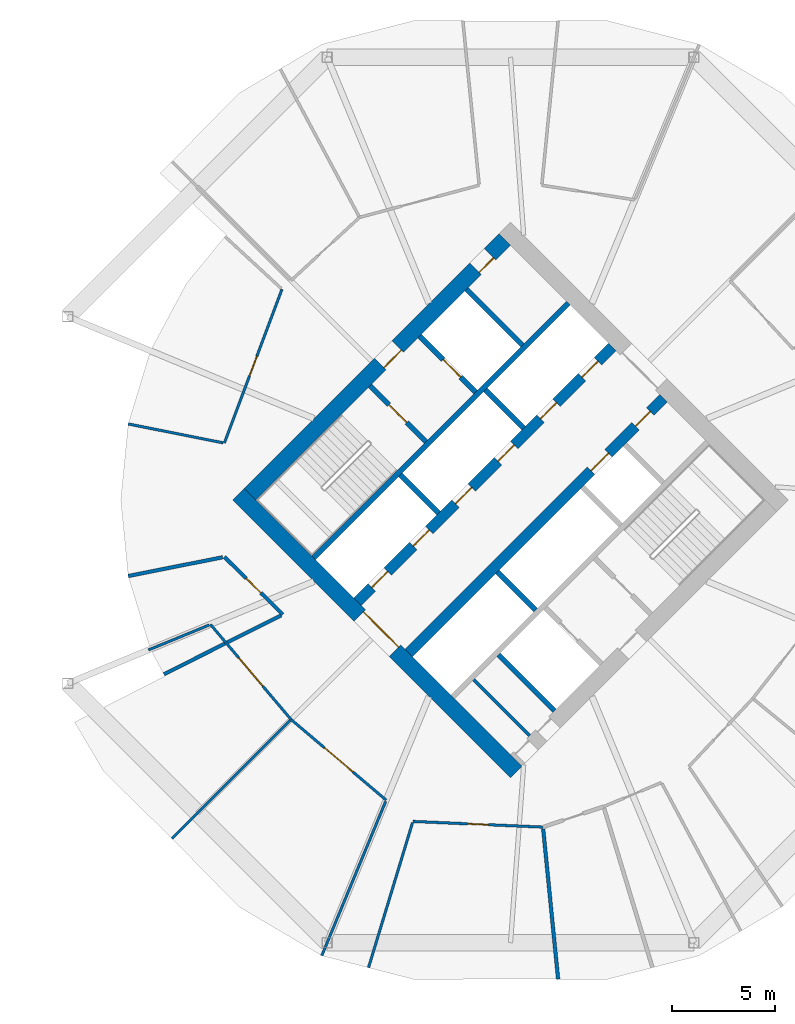
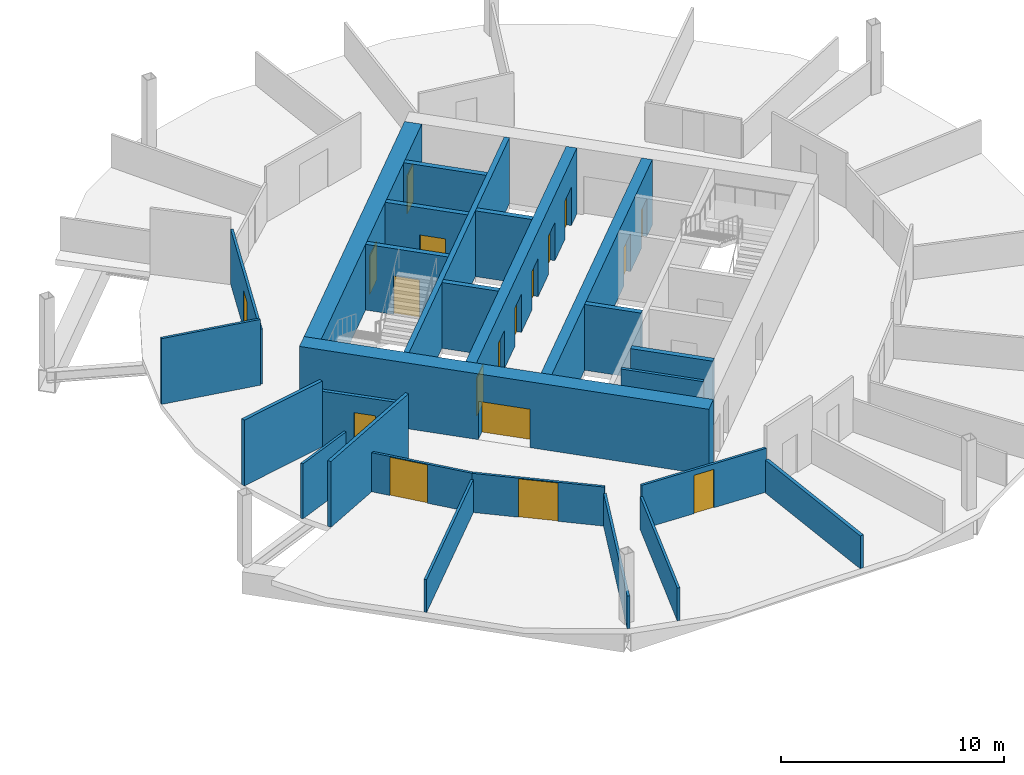
# One storey, part 6 of 9: 26 walls, 18 doors, 18 openings.
"""IFC4 building model written with IfcOpenShell, lengths in metres."""

from ifc_helpers import new_model, si_unit, direction, frame, frame_2d, origin, place, context, subcontext, project, spatial, rectangle, extrude, material, layer, layer_set, type_object, element, fill, save


model = new_model("IFC4")

# Units and contexts
model_context = context("Model", 3, precision=1e-05, world=origin(), true_north=direction((0.0, 1.0)))
body_context = subcontext(model_context, "Body", "Model", "MODEL_VIEW")
ifc_project = project(units=[si_unit("LENGTHUNIT", "METRE"), si_unit("AREAUNIT", "SQUARE_METRE"), si_unit("VOLUMEUNIT", "CUBIC_METRE"), si_unit("PLANEANGLEUNIT", "RADIAN"), si_unit("MASSUNIT", "GRAM", prefix="KILO")], contexts=[model_context])

# Site, building, storey
site_placement = place(None, origin())
site = spatial("IfcSite", under=ifc_project, at=site_placement, CompositionType="ELEMENT")
building_placement = place(site_placement, origin())
building = spatial("IfcBuilding", under=site, at=building_placement, Name="Ogive Gate Towers", CompositionType="ELEMENT")
storey_placement = place(building_placement, frame((0.0, 0.0, 111.300048828125)))
storey = spatial("IfcBuildingStorey", under=building, at=storey_placement, Name="L26", CompositionType="ELEMENT", Elevation=111.300048828125)

# Walls
ifc_material_1 = material(Name="Gypsum board acoustic partition")
ifc_layer_1 = layer(ifc_material_1, 0.175048828125)
ifc_layer_set_1 = layer_set([ifc_layer_1], Name="Acoustic partition 175")
wall_type_1 = type_object("IfcWallType", Name="Acoustic partition 175", PredefinedType="PARTITIONING", material=ifc_layer_set_1)
wall_1_placement = place(storey_placement, frame((17.522705078125, -3.67529296875, 0.0), z_axis=(0.0, 0.0, 1.0), x_axis=(0.980784040032, 0.19509655768, 0.0)))
element("IfcWall", 1, at=wall_1_placement, inside=storey, type_object=wall_type_1, Name="Partition T2-L26-012", PredefinedType="PARTITIONING", context=body_context, shape_type="SweptSolid", body=[
    extrude(rectangle(XDim=4.6513671875, YDim=0.175048828125, at=frame_2d((2.32568359375, 0.0))), origin(), (0.0, 0.0, 1.0), 3.599853515625),
])
wall_2_placement = place(storey_placement, frame((19.2451171875, -8.42529296875, 0.0), z_axis=(0.0, 0.0, 1.0), x_axis=(0.893410086321, 0.449242047966, 0.0)))
element("IfcWall", 2, at=wall_2_placement, inside=storey, type_object=wall_type_1, Name="Partition T2-L26-014", PredefinedType="PARTITIONING", context=body_context, shape_type="SweptSolid", body=[
    extrude(rectangle(XDim=6.351318359375, YDim=0.175048828125, at=frame_2d((3.17578125, 0.0))), origin(), (0.0, 0.0, 1.0), 3.599853515625),
])
wall_3_placement = place(storey_placement, frame((38.302001953125, -23.162353515625, 0.0), z_axis=(0.0, 0.0, 1.0), x_axis=(-0.098874676929, 0.99509989361, 0.0)))
element("IfcWall", 3, at=wall_3_placement, inside=storey, type_object=wall_type_1, Name="Partition T2-L26-018", PredefinedType="PARTITIONING", context=body_context, shape_type="SweptSolid", body=[
    extrude(rectangle(XDim=7.301513671875, YDim=0.175048828125, at=frame_2d((3.65087890625, 0.0))), origin(), (0.0, 0.0, 1.0), 1.800048828125),
])

# Wall, opening, door
wall_4_placement = place(storey_placement, frame((24.997802734375, -5.53271484375, 0.0), z_axis=(0.0, 0.0, 1.0), x_axis=(-0.712838510922, 0.701328209433, 0.0)))
wall_4 = element("IfcWall", 4, at=wall_4_placement, inside=storey, type_object=wall_type_1, Name="Partition T2-L26-024", PredefinedType="PARTITIONING", context=body_context, shape_type="SweptSolid", body=[
    extrude(rectangle(XDim=3.96630859375, YDim=0.175048828125, at=frame_2d((1.983154296875, 0.0))), origin(), (0.0, 0.0, 1.0), 3.010009765625),
])
opening_1_placement = place(wall_4_placement, frame((1.48291015625, 0.0, 0.0)))
opening_1 = element("IfcOpeningElement", 5, at=opening_1_placement, cuts=wall_4, Name="Opening T2-L26-D01", PredefinedType="OPENING", context=body_context, shape_type="SweptSolid", body=[
    extrude(rectangle(XDim=1.0, YDim=2.10009765625, at=frame_2d((0.5, 1.050048828125))), frame((0.0, 0.09765625, 0.0), z_axis=(0.0, -1.0, 0.0), x_axis=(1.0, 0.0, 0.0)), (0.0, 0.0, 1.0), 0.195068359375),
])
ifc_material_2 = material(Name="Timber door", Category="wood")
door_type_1 = type_object("IfcDoorType", Name="Door 1000", OperationType="NOTDEFINED", PredefinedType="DOOR", material=ifc_material_2)
door_1_placement = place(opening_1_placement, origin())
door_1 = element("IfcDoor", 6, at=door_1_placement, inside=storey, type_object=door_type_1, Name="Door T2-L26-D01", OperationType="SINGLE_SWING_RIGHT", OverallHeight=2.10009765625, OverallWidth=1.0, PredefinedType="DOOR", context=body_context, shape_type="SweptSolid", body=[
    extrude(rectangle(XDim=1.0, YDim=2.10009765625, at=frame_2d((0.5, 1.050048828125))), frame((0.0, 0.02490234375, 0.0), z_axis=(0.0, -1.0, 0.0), x_axis=(1.0, 0.0, 0.0)), (0.0, 0.0, 1.0), 0.050048828125),
])
fill(opening_1, door_1)

# Wall, openings, doors
ifc_material_3 = material(Name="Concrete C60/75", Category="concrete")
ifc_layer_2 = layer(ifc_material_3, 0.800048828125)
ifc_layer_set_2 = layer_set([ifc_layer_2], Name="Core wall 800 mm")
wall_type_2 = type_object("IfcWallType", Name="Core wall 800 mm", PredefinedType="SHEAR", material=ifc_layer_set_2)
wall_5_placement = place(storey_placement, frame((23.41357421875, 0.28271484375, 0.0), z_axis=(0.0, 0.0, 1.0), x_axis=(0.707106781187, 0.707106781187, 0.0)))
wall_5 = element("IfcWall", 7, at=wall_5_placement, inside=storey, type_object=wall_type_2, Name="T2 L26 Core wall 800 mm", PredefinedType="SHEAR", context=body_context, shape_type="SweptSolid", body=[
    extrude(rectangle(XDim=17.400146484375, YDim=0.800048828125, at=frame_2d((8.7001953125, 0.0))), origin(), (0.0, 0.0, 1.0), 3.599853515625),
])
opening_2_placement = place(wall_5_placement, frame((8.89990234375, 0.0, 0.0)))
opening_2 = element("IfcOpeningElement", 8, at=opening_2_placement, cuts=wall_5, Name="Opening KD-T2-L26-15", PredefinedType="OPENING", context=body_context, shape_type="SweptSolid", body=[
    extrude(rectangle(XDim=1.199951171875, YDim=2.10009765625, at=frame_2d((0.60009765625, 1.050048828125))), frame((0.0, 0.41015625, 0.0), z_axis=(0.0, -1.0, 0.0), x_axis=(1.0, 0.0, 0.0)), (0.0, 0.0, 1.0), 0.820068359375),
])
opening_3_placement = place(wall_5_placement, frame((15.39990234375, 0.0, 0.0)))
opening_3 = element("IfcOpeningElement", 9, at=opening_3_placement, cuts=wall_5, Name="Opening KD-T2-L26-17", PredefinedType="OPENING", context=body_context, shape_type="SweptSolid", body=[
    extrude(rectangle(XDim=1.0, YDim=2.10009765625, at=frame_2d((0.5, 1.050048828125))), frame((0.0, 0.41015625, 0.0), z_axis=(0.0, -1.0, 0.0), x_axis=(1.0, 0.0, 0.0)), (0.0, 0.0, 1.0), 0.820068359375),
])
door_type_2 = type_object("IfcDoorType", Name="Accessible WC door 1000 x 2100", OperationType="NOTDEFINED", PredefinedType="DOOR", material=ifc_material_2)
door_2_placement = place(opening_3_placement, origin())
door_2 = element("IfcDoor", 10, at=door_2_placement, inside=storey, type_object=door_type_2, Name="T2 L26 Core door", OperationType="SINGLE_SWING_RIGHT", OverallHeight=2.10009765625, OverallWidth=1.0, PredefinedType="DOOR", context=body_context, shape_type="SweptSolid", body=[
    extrude(rectangle(XDim=1.0, YDim=2.10009765625, at=frame_2d((0.5, 1.050048828125))), frame((0.0, -0.22509765625, 0.0), z_axis=(0.0, -1.0, 0.0), x_axis=(1.0, 0.0, 0.0)), (0.0, 0.0, 1.0), 0.050048828125),
])
fill(opening_3, door_2)
ifc_material_4 = material(Name="Steel fire door", Category="steel")
door_type_3 = type_object("IfcDoorType", Name="Core door FD60S 1200 x 2100", OperationType="NOTDEFINED", PredefinedType="DOOR", material=ifc_material_4)
door_3_placement = place(opening_2_placement, origin())
door_3 = element("IfcDoor", 11, at=door_3_placement, inside=storey, type_object=door_type_3, Name="T2 L26 Fire-fighting lobby door", OperationType="SINGLE_SWING_RIGHT", OverallHeight=2.10009765625, OverallWidth=1.199951171875, PredefinedType="DOOR", context=body_context, shape_type="SweptSolid", body=[
    extrude(rectangle(XDim=1.199951171875, YDim=2.10009765625, at=frame_2d((0.60009765625, 1.050048828125))), frame((0.0, -0.22509765625, 0.0), z_axis=(0.0, -1.0, 0.0), x_axis=(1.0, 0.0, 0.0)), (0.0, 0.0, 1.0), 0.050048828125),
])
fill(opening_2, door_3)

# Wall, opening, door
wall_6_placement = place(storey_placement, frame((36.28271484375, -13.152099609375, 0.0), z_axis=(0.0, 0.0, 1.0), x_axis=(-0.707106781187, 0.707106781187, 0.0)))
wall_6 = element("IfcWall", 12, at=wall_6_placement, inside=storey, type_object=wall_type_2, Name="T2 L26 Core wall 800 mm", PredefinedType="SHEAR", context=body_context, shape_type="SweptSolid", body=[
    extrude(rectangle(XDim=18.999755859375, YDim=0.800048828125, at=frame_2d((9.5, 0.0))), origin(), (0.0, 0.0, 1.0), 3.599853515625),
])
opening_4_placement = place(wall_6_placement, frame((8.300048828125, 0.0, 0.0)))
opening_4 = element("IfcOpeningElement", 13, at=opening_4_placement, cuts=wall_6, Name="Opening KD-T2-L26-01", PredefinedType="OPENING", context=body_context, shape_type="SweptSolid", body=[
    extrude(rectangle(XDim=2.39990234375, YDim=2.10009765625, at=frame_2d((1.199951171875, 1.050048828125))), frame((0.0, 0.41015625, 0.0), z_axis=(0.0, -1.0, 0.0), x_axis=(1.0, 0.0, 0.0)), (0.0, 0.0, 1.0), 0.820068359375),
])
door_type_4 = type_object("IfcDoorType", Name="Core double door FD60S 2400 x 2100", OperationType="DOUBLE_DOOR_SINGLE_SWING", PredefinedType="DOOR", material=ifc_material_4)
door_4_placement = place(opening_4_placement, origin())
door_4 = element("IfcDoor", 14, at=door_4_placement, inside=storey, type_object=door_type_4, Name="T2 L26 Core door double", OperationType="DOUBLE_DOOR_SINGLE_SWING", OverallHeight=2.10009765625, OverallWidth=2.39990234375, PredefinedType="DOOR", context=body_context, shape_type="SweptSolid", body=[
    extrude(rectangle(XDim=2.39990234375, YDim=2.10009765625, at=frame_2d((1.199951171875, 1.050048828125))), frame((0.0, -0.22509765625, 0.0), z_axis=(0.0, -1.0, 0.0), x_axis=(1.0, 0.0, 0.0)), (0.0, 0.0, 1.0), 0.050048828125),
])
fill(opening_4, door_4)

# Walls
ifc_material_5 = material(Name="Gypsum board partition")
ifc_layer_3 = layer(ifc_material_5, 0.125)
ifc_layer_set_3 = layer_set([ifc_layer_3], Name="Partition 125")
wall_type_3 = type_object("IfcWallType", Name="Partition 125", PredefinedType="PARTITIONING", material=ifc_layer_set_3)
wall_7_placement = place(storey_placement, frame((17.522705078125, 3.67529296875, 0.0), z_axis=(0.0, 0.0, 1.0), x_axis=(0.980792949078, -0.195051765025, 0.0)))
element("IfcWall", 15, at=wall_7_placement, inside=storey, type_object=wall_type_3, Name="Partition T2-L26-011", PredefinedType="PARTITIONING", context=body_context, shape_type="SweptSolid", body=[
    extrude(rectangle(XDim=4.67626953125, YDim=0.125, at=frame_2d((2.338134765625, 0.0))), origin(), (0.0, 0.0, 1.0), 3.599853515625),
])
wall_8_placement = place(storey_placement, frame((18.501220703125, -7.248291015625, 0.0), z_axis=(0.0, 0.0, 1.0), x_axis=(0.924994273872, 0.379981043347, 0.0)))
element("IfcWall", 16, at=wall_8_placement, inside=storey, type_object=wall_type_3, Name="Partition T2-L26-013", PredefinedType="PARTITIONING", context=body_context, shape_type="SweptSolid", body=[
    extrude(rectangle(XDim=3.17919921875, YDim=0.125, at=frame_2d((1.589599609375, 0.0))), origin(), (0.0, 0.0, 1.0), 3.010009765625),
])
for number, where, z_axis, x_axis, name in (
    (17, (19.63818359375, -16.36181640625, 0.0), (0.0, 0.0, 1.0), (0.707106781187, 0.707106781187, 0.0), "Partition T2-L26-015"),
    (18, (26.876953125, -22.025390625, 0.0), (0.0, 0.0, 1.0), (0.382667716145, 0.923886042226, 0.0), "Partition T2-L26-016"),
):
    element("IfcWall", number, at=place(storey_placement, frame(where, z_axis=z_axis, x_axis=x_axis)), inside=storey, type_object=wall_type_3, Name=name, PredefinedType="PARTITIONING", context=body_context, shape_type="SweptSolid", body=[
        extrude(rectangle(XDim=8.076416015625, YDim=0.125, at=frame_2d((4.0380859375, 0.0))), origin(), (0.0, 0.0, 1.0), 1.800048828125),
    ])
wall_9_placement = place(storey_placement, frame((29.13623046875, -22.605712890625, 0.0), z_axis=(0.0, 0.0, 1.0), x_axis=(0.290540990515, 0.956862546467, 0.0)))
element("IfcWall", 19, at=wall_9_placement, inside=storey, type_object=wall_type_3, Name="Partition T2-L26-017", PredefinedType="PARTITIONING", context=body_context, shape_type="SweptSolid", body=[
    extrude(rectangle(XDim=7.32666015625, YDim=0.125, at=frame_2d((3.663330078125, 0.0))), origin(), (0.0, 0.0, 1.0), 1.800048828125),
])

# Wall, opening, door
wall_10_placement = place(storey_placement, frame((22.17041015625, 2.7509765625, 0.0), z_axis=(0.0, 0.0, 1.0), x_axis=(0.350658580146, 0.936503369012, 0.0)))
wall_10 = element("IfcWall", 20, at=wall_10_placement, inside=storey, type_object=wall_type_3, Name="Partition T2-L26-025", PredefinedType="PARTITIONING", context=body_context, shape_type="SweptSolid", body=[
    extrude(rectangle(XDim=7.943359375, YDim=0.125, at=frame_2d((3.9716796875, 0.0))), origin(), (0.0, 0.0, 1.0), 3.010009765625),
])
opening_5_placement = place(wall_10_placement, frame((3.471923828125, 0.0, 0.0)))
opening_5 = element("IfcOpeningElement", 21, at=opening_5_placement, cuts=wall_10, Name="Opening T2-L26-D02", PredefinedType="OPENING", context=body_context, shape_type="SweptSolid", body=[
    extrude(rectangle(XDim=1.0, YDim=2.10009765625, at=frame_2d((0.5, 1.050048828125))), frame((0.0, 0.072509765625, 0.0), z_axis=(0.0, -1.0, 0.0), x_axis=(1.0, 0.0, 0.0)), (0.0, 0.0, 1.0), 0.14501953125),
])
door_5_placement = place(opening_5_placement, origin())
door_5 = element("IfcDoor", 22, at=door_5_placement, inside=storey, type_object=door_type_1, Name="Door T2-L26-D02", OperationType="SINGLE_SWING_RIGHT", OverallHeight=2.10009765625, OverallWidth=1.0, PredefinedType="DOOR", context=body_context, shape_type="SweptSolid", body=[
    extrude(rectangle(XDim=1.0, YDim=2.10009765625, at=frame_2d((0.5, 1.050048828125))), frame((0.0, 0.02490234375, 0.0), z_axis=(0.0, -1.0, 0.0), x_axis=(1.0, 0.0, 0.0)), (0.0, 0.0, 1.0), 0.050048828125),
])
fill(opening_5, door_5)

wall_11_placement = place(storey_placement, frame((37.5712890625, -15.8095703125, 0.0), z_axis=(0.0, 0.0, 1.0), x_axis=(-0.999050808155, 0.043560104735, 0.0)))
wall_11 = element("IfcWall", 23, at=wall_11_placement, inside=storey, type_object=wall_type_3, Name="Partition T2-L26-036", PredefinedType="PARTITIONING", context=body_context, shape_type="SweptSolid", body=[
    extrude(rectangle(XDim=6.2939453125, YDim=0.125, at=frame_2d((3.14697265625, 0.0))), origin(), (0.0, 0.0, 1.0), 2.39990234375),
])
opening_6_placement = place(wall_11_placement, frame((2.64697265625, 0.0, 0.0)))
opening_6 = element("IfcOpeningElement", 24, at=opening_6_placement, cuts=wall_11, Name="Opening T2-L26-D13", PredefinedType="OPENING", context=body_context, shape_type="SweptSolid", body=[
    extrude(rectangle(XDim=1.0, YDim=2.10009765625, at=frame_2d((0.5, 1.050048828125))), frame((0.0, 0.072509765625, 0.0), z_axis=(0.0, -1.0, 0.0), x_axis=(1.0, 0.0, 0.0)), (0.0, 0.0, 1.0), 0.14501953125),
])
door_6_placement = place(opening_6_placement, origin())
door_6 = element("IfcDoor", 25, at=door_6_placement, inside=storey, type_object=door_type_1, Name="Door T2-L26-D13", OperationType="SINGLE_SWING_LEFT", OverallHeight=2.10009765625, OverallWidth=1.0, PredefinedType="DOOR", context=body_context, shape_type="SweptSolid", body=[
    extrude(rectangle(XDim=1.0, YDim=2.10009765625, at=frame_2d((0.5, 1.050048828125))), frame((0.0, 0.02490234375, 0.0), z_axis=(0.0, -1.0, 0.0), x_axis=(1.0, 0.0, 0.0)), (0.0, 0.0, 1.0), 0.050048828125),
])
fill(opening_6, door_6)

wall_12_placement = place(storey_placement, frame((29.991455078125, -14.505859375, 0.0), z_axis=(0.0, 0.0, 1.0), x_axis=(-0.76269616643, 0.646756954128, 0.0)))
wall_12 = element("IfcWall", 26, at=wall_12_placement, inside=storey, type_object=wall_type_3, Name="Partition T2-L26-037", PredefinedType="PARTITIONING", context=body_context, shape_type="SweptSolid", body=[
    extrude(rectangle(XDim=6.02880859375, YDim=0.125, at=frame_2d((3.014404296875, 0.0))), origin(), (0.0, 0.0, 1.0), 2.139892578125),
])
opening_7_placement = place(wall_12_placement, frame((2.114013671875, 0.0, 0.0)))
opening_7 = element("IfcOpeningElement", 27, at=opening_7_placement, cuts=wall_12, Name="Opening T2-L26-D14", PredefinedType="OPENING", context=body_context, shape_type="SweptSolid", body=[
    extrude(rectangle(XDim=1.800048828125, YDim=2.10009765625, at=frame_2d((0.89990234375, 1.050048828125))), frame((0.0, 0.072509765625, 0.0), z_axis=(0.0, -1.0, 0.0), x_axis=(1.0, 0.0, 0.0)), (0.0, 0.0, 1.0), 0.14501953125),
])
door_type_5 = type_object("IfcDoorType", Name="Door pair 1800", OperationType="NOTDEFINED", PredefinedType="DOOR", material=ifc_material_2)
door_7_placement = place(opening_7_placement, origin())
door_7 = element("IfcDoor", 28, at=door_7_placement, inside=storey, type_object=door_type_5, Name="Door T2-L26-D14", OperationType="DOUBLE_DOOR_DOUBLE_SWING", OverallHeight=2.10009765625, OverallWidth=1.800048828125, PredefinedType="DOOR", context=body_context, shape_type="SweptSolid", body=[
    extrude(rectangle(XDim=1.800048828125, YDim=2.10009765625, at=frame_2d((0.89990234375, 1.050048828125))), frame((0.0, 0.02490234375, 0.0), z_axis=(0.0, -1.0, 0.0), x_axis=(1.0, 0.0, 0.0)), (0.0, 0.0, 1.0), 0.050048828125),
])
fill(opening_7, door_7)

wall_13_placement = place(storey_placement, frame((25.393310546875, -10.606689453125, 0.0), z_axis=(0.0, 0.0, 1.0), x_axis=(-0.646858105172, 0.762610380059, 0.0)))
wall_13 = element("IfcWall", 29, at=wall_13_placement, inside=storey, type_object=wall_type_3, Name="Partition T2-L26-038", PredefinedType="PARTITIONING", context=body_context, shape_type="SweptSolid", body=[
    extrude(rectangle(XDim=6.01953125, YDim=0.125, at=frame_2d((3.009765625, 0.0))), origin(), (0.0, 0.0, 1.0), 2.139892578125),
])
opening_8_placement = place(wall_13_placement, frame((2.110107421875, 0.0, 0.0)))
opening_8 = element("IfcOpeningElement", 30, at=opening_8_placement, cuts=wall_13, Name="Opening T2-L26-D15", PredefinedType="OPENING", context=body_context, shape_type="SweptSolid", body=[
    extrude(rectangle(XDim=1.800048828125, YDim=2.10009765625, at=frame_2d((0.89990234375, 1.050048828125))), frame((0.0, 0.072509765625, 0.0), z_axis=(0.0, -1.0, 0.0), x_axis=(1.0, 0.0, 0.0)), (0.0, 0.0, 1.0), 0.14501953125),
])
door_8_placement = place(opening_8_placement, origin())
door_8 = element("IfcDoor", 31, at=door_8_placement, inside=storey, type_object=door_type_5, Name="Door T2-L26-D15", OperationType="DOUBLE_DOOR_DOUBLE_SWING", OverallHeight=2.10009765625, OverallWidth=1.800048828125, PredefinedType="DOOR", context=body_context, shape_type="SweptSolid", body=[
    extrude(rectangle(XDim=1.800048828125, YDim=2.10009765625, at=frame_2d((0.89990234375, 1.050048828125))), frame((0.0, 0.02490234375, 0.0), z_axis=(0.0, -1.0, 0.0), x_axis=(1.0, 0.0, 0.0)), (0.0, 0.0, 1.0), 0.050048828125),
])
fill(opening_8, door_8)

# Walls
ifc_layer_4 = layer(ifc_material_5, 0.14990234375)
ifc_layer_set_4 = layer_set([ifc_layer_4], Name="Room partition 150 mm")
wall_type_4 = type_object("IfcWallType", Name="Room partition 150 mm", PredefinedType="PARTITIONING", material=ifc_layer_set_4)
wall_14_placement = place(storey_placement, frame((36.919189453125, -11.384521484375, 0.0), z_axis=(0.0, 0.0, 1.0), x_axis=(-0.707074866995, 0.707138693938, 0.0)))
element("IfcWall", 32, at=wall_14_placement, inside=storey, type_object=wall_type_4, Name="T2 L26 Room partition 150 mm", PredefinedType="PARTITIONING", context=body_context, shape_type="SweptSolid", body=[
    extrude(rectangle(XDim=3.824951171875, YDim=0.14990234375, at=frame_2d((1.91259765625, 0.0))), origin(), (0.0, 0.0, 1.0), 3.599853515625),
])
ifc_layer_5 = layer(ifc_material_3, 0.25)
ifc_layer_set_5 = layer_set([ifc_layer_5], Name="Shaft wall 250 mm")
wall_type_5 = type_object("IfcWallType", Name="Shaft wall 250 mm", PredefinedType="SHEAR", material=ifc_layer_set_5)
wall_15_placement = place(storey_placement, frame((26.489501953125, -2.793212890625, 0.0), z_axis=(0.0, 0.0, 1.0), x_axis=(0.707106781187, 0.707106781187, 0.0)))
element("IfcWall", 33, at=wall_15_placement, inside=storey, type_object=wall_type_5, Name="T2 L26 Shaft wall 250 mm", PredefinedType="SHEAR", context=body_context, shape_type="SweptSolid", body=[
    extrude(rectangle(XDim=17.400146484375, YDim=0.25, at=frame_2d((8.7001953125, 0.0))), origin(), (0.0, 0.0, 1.0), 3.599853515625),
])
wall_16_placement = place(storey_placement, frame((38.121337890625, -10.182373046875, 0.0), z_axis=(0.0, 0.0, 1.0), x_axis=(-0.707138693938, 0.707074866995, 0.0)))
element("IfcWall", 34, at=wall_16_placement, inside=storey, type_object=wall_type_5, Name="T2 L26 Shaft wall 250 mm", PredefinedType="SHEAR", context=body_context, shape_type="SweptSolid", body=[
    extrude(rectangle(XDim=3.824951171875, YDim=0.25, at=frame_2d((1.91259765625, 0.0))), origin(), (0.0, 0.0, 1.0), 3.599853515625),
])
for number, where, z_axis, x_axis, name in (
    (35, (37.2197265625, -5.321044921875, 0.0), (0.0, 0.0, 1.0), (-0.707106781187, 0.707106781187, 0.0), "T2 L26 Shaft wall 250 mm"),
    (36, (32.53515625, -0.636474609375, 0.0), (0.0, 0.0, 1.0), (-0.707106781187, 0.707106781187, 0.0), "T2 L26 Shaft wall 250 mm"),
):
    element("IfcWall", number, at=place(storey_placement, frame(where, z_axis=z_axis, x_axis=x_axis)), inside=storey, type_object=wall_type_5, Name=name, PredefinedType="SHEAR", context=body_context, shape_type="SweptSolid", body=[
        extrude(rectangle(XDim=2.625, YDim=0.25, at=frame_2d((1.3125, 0.0))), origin(), (0.0, 0.0, 1.0), 3.599853515625),
    ])

# Wall, opening, door
wall_17_placement = place(storey_placement, frame((31.91650390625, 2.810791015625, 0.0), z_axis=(0.0, 0.0, 1.0), x_axis=(-0.707106781187, 0.707106781187, 0.0)))
wall_17 = element("IfcWall", 37, at=wall_17_placement, inside=storey, type_object=wall_type_5, Name="T2 L26 Shaft wall 250 mm", PredefinedType="SHEAR", context=body_context, shape_type="SweptSolid", body=[
    extrude(rectangle(XDim=3.824951171875, YDim=0.25, at=frame_2d((1.91259765625, 0.0))), origin(), (0.0, 0.0, 1.0), 3.599853515625),
])
opening_9_placement = place(wall_17_placement, frame((1.324951171875, 0.0, 0.0)))
opening_9 = element("IfcOpeningElement", 38, at=opening_9_placement, cuts=wall_17, Name="Opening KD-T2-L26-13", PredefinedType="OPENING", context=body_context, shape_type="SweptSolid", body=[
    extrude(rectangle(XDim=1.199951171875, YDim=2.10009765625, at=frame_2d((0.60009765625, 1.050048828125))), frame((0.0, 0.135009765625, 0.0), z_axis=(0.0, -1.0, 0.0), x_axis=(1.0, 0.0, 0.0)), (0.0, 0.0, 1.0), 0.27001953125),
])
door_9_placement = place(opening_9_placement, origin())
door_9 = element("IfcDoor", 39, at=door_9_placement, inside=storey, type_object=door_type_3, Name="T2 L26 Stair door", OperationType="SINGLE_SWING_RIGHT", OverallHeight=2.10009765625, OverallWidth=1.199951171875, PredefinedType="DOOR", context=body_context, shape_type="SweptSolid", body=[
    extrude(rectangle(XDim=1.199951171875, YDim=2.10009765625, at=frame_2d((0.60009765625, 1.050048828125))), frame((0.0, 0.02490234375, 0.0), z_axis=(0.0, -1.0, 0.0), x_axis=(1.0, 0.0, 0.0)), (0.0, 0.0, 1.0), 0.050048828125),
])
fill(opening_9, door_9)

wall_18_placement = place(storey_placement, frame((34.320556640625, 5.21484375, 0.0), z_axis=(0.0, 0.0, 1.0), x_axis=(-0.707074866995, 0.707138693938, 0.0)))
wall_18 = element("IfcWall", 40, at=wall_18_placement, inside=storey, type_object=wall_type_5, Name="T2 L26 Shaft wall 250 mm", PredefinedType="SHEAR", context=body_context, shape_type="SweptSolid", body=[
    extrude(rectangle(XDim=3.824951171875, YDim=0.25, at=frame_2d((1.91259765625, 0.0))), origin(), (0.0, 0.0, 1.0), 3.599853515625),
])
opening_10_placement = place(wall_18_placement, frame((1.02490234375, 0.0, 0.0)))
opening_10 = element("IfcOpeningElement", 41, at=opening_10_placement, cuts=wall_18, Name="Opening LD-T2-L26-10", PredefinedType="OPENING", context=body_context, shape_type="SweptSolid", body=[
    extrude(rectangle(XDim=1.199951171875, YDim=2.10009765625, at=frame_2d((0.60009765625, 1.050048828125))), frame((0.0, 0.135009765625, 0.0), z_axis=(0.0, -1.0, 0.0), x_axis=(1.0, 0.0, 0.0)), (0.0, 0.0, 1.0), 0.27001953125),
])
ifc_material_6 = material(Name="Stainless steel landing door", Category="steel")
door_type_6 = type_object("IfcDoorType", Name="Landing door 1200 x 2100", OperationType="SLIDING_TO_LEFT", PredefinedType="DOOR", material=ifc_material_6)
door_10_placement = place(opening_10_placement, origin())
door_10 = element("IfcDoor", 42, at=door_10_placement, inside=storey, type_object=door_type_6, Name="T2 L26 Lift landing door FF1", OperationType="SLIDING_TO_LEFT", OverallHeight=2.10009765625, OverallWidth=1.199951171875, PredefinedType="DOOR", context=body_context, shape_type="SweptSolid", body=[
    extrude(rectangle(XDim=1.199951171875, YDim=2.10009765625, at=frame_2d((0.60009765625, 1.050048828125))), frame((0.0, 0.02490234375, 0.0), z_axis=(0.0, -1.0, 0.0), x_axis=(1.0, 0.0, 0.0)), (0.0, 0.0, 1.0), 0.050048828125),
])
fill(opening_10, door_10)

# Walls
wall_19_placement = place(storey_placement, frame((36.636474609375, 3.46484375, 0.0), z_axis=(0.0, 0.0, 1.0), x_axis=(-0.707106781187, 0.707106781187, 0.0)))
element("IfcWall", 43, at=wall_19_placement, inside=storey, type_object=wall_type_5, Name="T2 L26 Shaft wall 250 mm", PredefinedType="SHEAR", context=body_context, shape_type="SweptSolid", body=[
    extrude(rectangle(XDim=2.625, YDim=0.25, at=frame_2d((1.3125, 0.0))), origin(), (0.0, 0.0, 1.0), 3.599853515625),
])
wall_20_placement = place(storey_placement, frame((36.58349609375, 7.477783203125, 0.0), z_axis=(0.0, 0.0, 1.0), x_axis=(-0.707138693938, 0.707074866995, 0.0)))
element("IfcWall", 44, at=wall_20_placement, inside=storey, type_object=wall_type_5, Name="T2 L26 Shaft wall 250 mm", PredefinedType="SHEAR", context=body_context, shape_type="SweptSolid", body=[
    extrude(rectangle(XDim=3.824951171875, YDim=0.25, at=frame_2d((1.91259765625, 0.0))), origin(), (0.0, 0.0, 1.0), 3.599853515625),
])

# Wall, openings, doors
ifc_layer_6 = layer(ifc_material_3, 0.5)
ifc_layer_set_6 = layer_set([ifc_layer_6], Name="Spine wall 500 mm")
wall_type_6 = type_object("IfcWallType", Name="Spine wall 500 mm", PredefinedType="SHEAR", material=ifc_layer_set_6)
wall_21_placement = place(storey_placement, frame((31.085693359375, -7.389404296875, 0.0), z_axis=(0.0, 0.0, 1.0), x_axis=(0.707106781187, 0.707106781187, 0.0)))
wall_21 = element("IfcWall", 45, at=wall_21_placement, inside=storey, type_object=wall_type_6, Name="T2 L26 Spine wall 500 mm", PredefinedType="SHEAR", context=body_context, shape_type="SweptSolid", body=[
    extrude(rectangle(XDim=17.400146484375, YDim=0.5, at=frame_2d((8.7001953125, 0.0))), origin(), (0.0, 0.0, 1.0), 3.599853515625),
])
opening_11_placement = place(wall_21_placement, frame((12.449951171875, 0.0, 0.0)))
opening_11 = element("IfcOpeningElement", 46, at=opening_11_placement, cuts=wall_21, Name="Opening LD-T2-L26-09", PredefinedType="OPENING", context=body_context, shape_type="SweptSolid", body=[
    extrude(rectangle(XDim=1.199951171875, YDim=2.10009765625, at=frame_2d((0.60009765625, 1.050048828125))), frame((0.0, 0.260009765625, 0.0), z_axis=(0.0, -1.0, 0.0), x_axis=(1.0, 0.0, 0.0)), (0.0, 0.0, 1.0), 0.52001953125),
])
opening_12_placement = place(wall_21_placement, frame((15.5, 0.0, 0.0)))
opening_12 = element("IfcOpeningElement", 47, at=opening_12_placement, cuts=wall_21, Name="Opening KD-T2-L26-12", PredefinedType="OPENING", context=body_context, shape_type="SweptSolid", body=[
    extrude(rectangle(XDim=1.0, YDim=2.10009765625, at=frame_2d((0.5, 1.050048828125))), frame((0.0, 0.260009765625, 0.0), z_axis=(0.0, -1.0, 0.0), x_axis=(1.0, 0.0, 0.0)), (0.0, 0.0, 1.0), 0.52001953125),
])
door_type_7 = type_object("IfcDoorType", Name="Core door FD60S 1000 x 2100", OperationType="NOTDEFINED", PredefinedType="DOOR", material=ifc_material_4)
door_11_placement = place(opening_12_placement, origin())
door_11 = element("IfcDoor", 48, at=door_11_placement, inside=storey, type_object=door_type_7, Name="T2 L26 Core door", OperationType="SINGLE_SWING_LEFT", OverallHeight=2.10009765625, OverallWidth=1.0, PredefinedType="DOOR", context=body_context, shape_type="SweptSolid", body=[
    extrude(rectangle(XDim=1.0, YDim=2.10009765625, at=frame_2d((0.5, 1.050048828125))), frame((0.0, 0.02490234375, 0.0), z_axis=(0.0, -1.0, 0.0), x_axis=(1.0, 0.0, 0.0)), (0.0, 0.0, 1.0), 0.050048828125),
])
fill(opening_12, door_11)
door_12_placement = place(opening_11_placement, origin())
door_12 = element("IfcDoor", 49, at=door_12_placement, inside=storey, type_object=door_type_6, Name="T2 L26 Lift landing door SVC", OperationType="SLIDING_TO_LEFT", OverallHeight=2.10009765625, OverallWidth=1.199951171875, PredefinedType="DOOR", context=body_context, shape_type="SweptSolid", body=[
    extrude(rectangle(XDim=1.199951171875, YDim=2.10009765625, at=frame_2d((0.60009765625, 1.050048828125))), frame((0.0, 0.02490234375, 0.0), z_axis=(0.0, -1.0, 0.0), x_axis=(1.0, 0.0, 0.0)), (0.0, 0.0, 1.0), 0.050048828125),
])
fill(opening_11, door_12)

wall_22_placement = place(storey_placement, frame((28.610595703125, -4.914306640625, 0.0), z_axis=(0.0, 0.0, 1.0), x_axis=(0.707106781187, 0.707106781187, 0.0)))
wall_22 = element("IfcWall", 50, at=wall_22_placement, inside=storey, type_object=wall_type_6, Name="T2 L26 Spine wall 500 mm", PredefinedType="SHEAR", context=body_context, shape_type="SweptSolid", body=[
    extrude(rectangle(XDim=17.400146484375, YDim=0.5, at=frame_2d((8.7001953125, 0.0))), origin(), (0.0, 0.0, 1.0), 3.599853515625),
])
opening_13_placement = place(wall_22_placement, frame((0.96240234375, 0.0, 0.0)))
opening_13 = element("IfcOpeningElement", 51, at=opening_13_placement, cuts=wall_22, Name="Opening LD-T2-L26-03", PredefinedType="OPENING", context=body_context, shape_type="SweptSolid", body=[
    extrude(rectangle(XDim=1.10009765625, YDim=2.10009765625, at=frame_2d((0.550048828125, 1.050048828125))), frame((0.0, 0.260009765625, 0.0), z_axis=(0.0, -1.0, 0.0), x_axis=(1.0, 0.0, 0.0)), (0.0, 0.0, 1.0), 0.52001953125),
])
opening_14_placement = place(wall_22_placement, frame((3.800048828125, 0.0, 0.0)))
opening_14 = element("IfcOpeningElement", 52, at=opening_14_placement, cuts=wall_22, Name="Opening LD-T2-L26-04", PredefinedType="OPENING", context=body_context, shape_type="SweptSolid", body=[
    extrude(rectangle(XDim=1.10009765625, YDim=2.10009765625, at=frame_2d((0.550048828125, 1.050048828125))), frame((0.0, 0.260009765625, 0.0), z_axis=(0.0, -1.0, 0.0), x_axis=(1.0, 0.0, 0.0)), (0.0, 0.0, 1.0), 0.52001953125),
])
opening_15_placement = place(wall_22_placement, frame((6.699951171875, 0.0, 0.0)))
opening_15 = element("IfcOpeningElement", 53, at=opening_15_placement, cuts=wall_22, Name="Opening LD-T2-L26-05", PredefinedType="OPENING", context=body_context, shape_type="SweptSolid", body=[
    extrude(rectangle(XDim=1.10009765625, YDim=2.10009765625, at=frame_2d((0.550048828125, 1.050048828125))), frame((0.0, 0.260009765625, 0.0), z_axis=(0.0, -1.0, 0.0), x_axis=(1.0, 0.0, 0.0)), (0.0, 0.0, 1.0), 0.52001953125),
])
opening_16_placement = place(wall_22_placement, frame((9.60009765625, 0.0, 0.0)))
opening_16 = element("IfcOpeningElement", 54, at=opening_16_placement, cuts=wall_22, Name="Opening LD-T2-L26-06", PredefinedType="OPENING", context=body_context, shape_type="SweptSolid", body=[
    extrude(rectangle(XDim=1.10009765625, YDim=2.10009765625, at=frame_2d((0.550048828125, 1.050048828125))), frame((0.0, 0.260009765625, 0.0), z_axis=(0.0, -1.0, 0.0), x_axis=(1.0, 0.0, 0.0)), (0.0, 0.0, 1.0), 0.52001953125),
])
opening_17_placement = place(wall_22_placement, frame((12.5, 0.0, 0.0)))
opening_17 = element("IfcOpeningElement", 55, at=opening_17_placement, cuts=wall_22, Name="Opening LD-T2-L26-07", PredefinedType="OPENING", context=body_context, shape_type="SweptSolid", body=[
    extrude(rectangle(XDim=1.10009765625, YDim=2.10009765625, at=frame_2d((0.550048828125, 1.050048828125))), frame((0.0, 0.260009765625, 0.0), z_axis=(0.0, -1.0, 0.0), x_axis=(1.0, 0.0, 0.0)), (0.0, 0.0, 1.0), 0.52001953125),
])
opening_18_placement = place(wall_22_placement, frame((15.33740234375, 0.0, 0.0)))
opening_18 = element("IfcOpeningElement", 56, at=opening_18_placement, cuts=wall_22, Name="Opening LD-T2-L26-08", PredefinedType="OPENING", context=body_context, shape_type="SweptSolid", body=[
    extrude(rectangle(XDim=1.10009765625, YDim=2.10009765625, at=frame_2d((0.550048828125, 1.050048828125))), frame((0.0, 0.260009765625, 0.0), z_axis=(0.0, -1.0, 0.0), x_axis=(1.0, 0.0, 0.0)), (0.0, 0.0, 1.0), 0.52001953125),
])
door_type_8 = type_object("IfcDoorType", Name="Landing door 1100 x 2100", OperationType="SLIDING_TO_LEFT", PredefinedType="DOOR", material=ifc_material_6)
door_13_placement = place(opening_13_placement, origin())
door_13 = element("IfcDoor", 57, at=door_13_placement, inside=storey, type_object=door_type_8, Name="T2 L26 Lift landing door A1", OperationType="SLIDING_TO_LEFT", OverallHeight=2.10009765625, OverallWidth=1.10009765625, PredefinedType="DOOR", context=body_context, shape_type="SweptSolid", body=[
    extrude(rectangle(XDim=1.10009765625, YDim=2.10009765625, at=frame_2d((0.550048828125, 1.050048828125))), frame((0.0, 0.02490234375, 0.0), z_axis=(0.0, -1.0, 0.0), x_axis=(1.0, 0.0, 0.0)), (0.0, 0.0, 1.0), 0.050048828125),
])
fill(opening_13, door_13)
door_14_placement = place(opening_14_placement, origin())
door_14 = element("IfcDoor", 58, at=door_14_placement, inside=storey, type_object=door_type_8, Name="T2 L26 Lift landing door A2", OperationType="SLIDING_TO_LEFT", OverallHeight=2.10009765625, OverallWidth=1.10009765625, PredefinedType="DOOR", context=body_context, shape_type="SweptSolid", body=[
    extrude(rectangle(XDim=1.10009765625, YDim=2.10009765625, at=frame_2d((0.550048828125, 1.050048828125))), frame((0.0, 0.02490234375, 0.0), z_axis=(0.0, -1.0, 0.0), x_axis=(1.0, 0.0, 0.0)), (0.0, 0.0, 1.0), 0.050048828125),
])
fill(opening_14, door_14)
door_15_placement = place(opening_15_placement, origin())
door_15 = element("IfcDoor", 59, at=door_15_placement, inside=storey, type_object=door_type_8, Name="T2 L26 Lift landing door A3", OperationType="SLIDING_TO_LEFT", OverallHeight=2.10009765625, OverallWidth=1.10009765625, PredefinedType="DOOR", context=body_context, shape_type="SweptSolid", body=[
    extrude(rectangle(XDim=1.10009765625, YDim=2.10009765625, at=frame_2d((0.550048828125, 1.050048828125))), frame((0.0, 0.02490234375, 0.0), z_axis=(0.0, -1.0, 0.0), x_axis=(1.0, 0.0, 0.0)), (0.0, 0.0, 1.0), 0.050048828125),
])
fill(opening_15, door_15)
door_16_placement = place(opening_16_placement, origin())
door_16 = element("IfcDoor", 60, at=door_16_placement, inside=storey, type_object=door_type_8, Name="T2 L26 Lift landing door A4", OperationType="SLIDING_TO_LEFT", OverallHeight=2.10009765625, OverallWidth=1.10009765625, PredefinedType="DOOR", context=body_context, shape_type="SweptSolid", body=[
    extrude(rectangle(XDim=1.10009765625, YDim=2.10009765625, at=frame_2d((0.550048828125, 1.050048828125))), frame((0.0, 0.02490234375, 0.0), z_axis=(0.0, -1.0, 0.0), x_axis=(1.0, 0.0, 0.0)), (0.0, 0.0, 1.0), 0.050048828125),
])
fill(opening_16, door_16)
door_17_placement = place(opening_17_placement, origin())
door_17 = element("IfcDoor", 61, at=door_17_placement, inside=storey, type_object=door_type_8, Name="T2 L26 Lift landing door A5", OperationType="SLIDING_TO_LEFT", OverallHeight=2.10009765625, OverallWidth=1.10009765625, PredefinedType="DOOR", context=body_context, shape_type="SweptSolid", body=[
    extrude(rectangle(XDim=1.10009765625, YDim=2.10009765625, at=frame_2d((0.550048828125, 1.050048828125))), frame((0.0, 0.02490234375, 0.0), z_axis=(0.0, -1.0, 0.0), x_axis=(1.0, 0.0, 0.0)), (0.0, 0.0, 1.0), 0.050048828125),
])
fill(opening_17, door_17)
door_18_placement = place(opening_18_placement, origin())
door_18 = element("IfcDoor", 62, at=door_18_placement, inside=storey, type_object=door_type_8, Name="T2 L26 Lift landing door A6", OperationType="SLIDING_TO_LEFT", OverallHeight=2.10009765625, OverallWidth=1.10009765625, PredefinedType="DOOR", context=body_context, shape_type="SweptSolid", body=[
    extrude(rectangle(XDim=1.10009765625, YDim=2.10009765625, at=frame_2d((0.550048828125, 1.050048828125))), frame((0.0, 0.02490234375, 0.0), z_axis=(0.0, -1.0, 0.0), x_axis=(1.0, 0.0, 0.0)), (0.0, 0.0, 1.0), 0.050048828125),
])
fill(opening_18, door_18)

save(model, "model.ifc")
